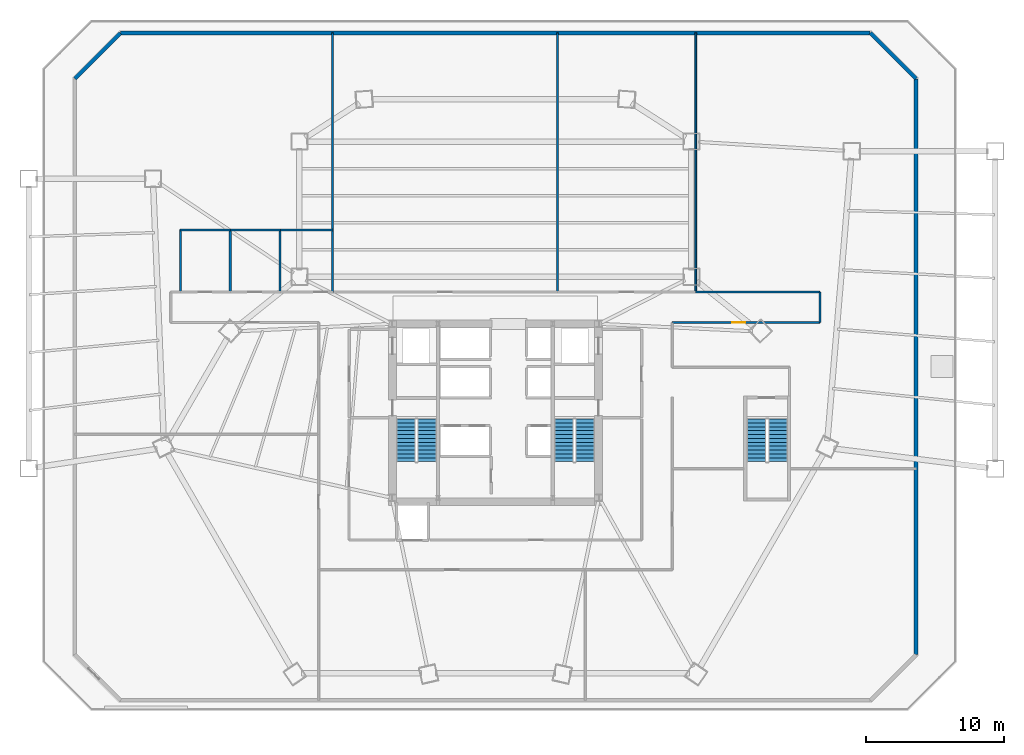
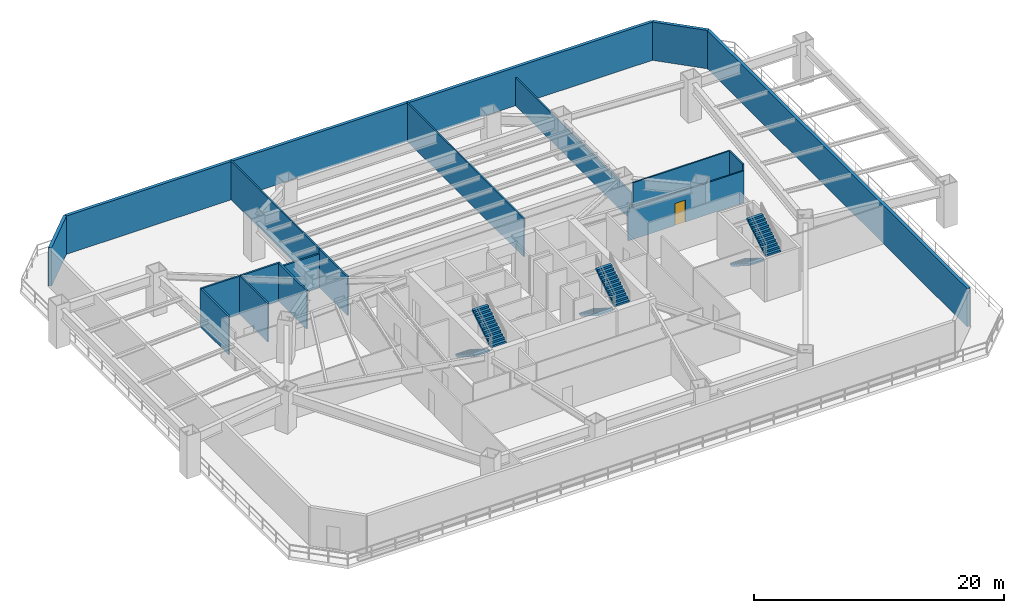
# One storey, part 7 of 12: 17 walls, 6 stair flights, 1 door, 1 opening, 3 elements without a shape of their own.
"""IFC4 building model written with IfcOpenShell, lengths in metres."""

from ifc_helpers import new_model, si_unit, direction, frame, frame_2d, origin, place, context, subcontext, project, spatial, polyline, rectangle, outline, extrude, material, layer, layer_set, type_object, element, fill, aggregate, save


model = new_model("IFC4")

# Units and contexts
model_context = context("Model", 3, precision=1e-05, world=origin(), true_north=direction((0.0, 1.0)))
body_context = subcontext(model_context, "Body", "Model", "MODEL_VIEW")
ifc_project = project(units=[si_unit("LENGTHUNIT", "METRE"), si_unit("AREAUNIT", "SQUARE_METRE"), si_unit("VOLUMEUNIT", "CUBIC_METRE"), si_unit("PLANEANGLEUNIT", "RADIAN"), si_unit("MASSUNIT", "GRAM", prefix="KILO")], contexts=[model_context])

# Site, building, storey
site_placement = place(None, origin())
site = spatial("IfcSite", under=ifc_project, at=site_placement, CompositionType="ELEMENT")
building_placement = place(site_placement, origin())
building = spatial("IfcBuilding", under=site, at=building_placement, Name="Caelisora Broadcast Tower", CompositionType="ELEMENT")
storey_placement = place(building_placement, frame((0.0, 0.0, 18.89990234375)))
storey = spatial("IfcBuildingStorey", under=building, at=storey_placement, Name="L04", CompositionType="ELEMENT", Elevation=18.89990234375)

# Walls
ifc_material_1 = material(Name="Insulated Terracotta Spandrel Wall System", Category="masonry")
ifc_layer_1 = layer(ifc_material_1, 0.280029296875, Name="Insulated Terracotta Spandrel Wall System")
ifc_layer_set_1 = layer_set([ifc_layer_1], Name="Insulated Terracotta Spandrel Wall System")
wall_type_1 = type_object("IfcWallType", Name="EW1", PredefinedType="STANDARD", material=ifc_layer_set_1)
wall_1_placement = place(storey_placement, frame((7.5400390625, 47.759033203125, 0.0), z_axis=(0.0, 0.0, 1.0), x_axis=(0.707106781187, 0.707106781187, 0.0)))
element("IfcWall", 1, at=wall_1_placement, inside=storey, type_object=wall_type_1, Name="L04 exterior envelope wall EW1", PredefinedType="STANDARD", context=body_context, shape_type="SweptSolid", body=[
    extrude(rectangle(XDim=4.66845703125, YDim=0.280029296875, at=frame_2d((2.334228515625, 0.0))), origin(), (0.0, 0.0, 1.0), 3.75),
])
wall_2_placement = place(storey_placement, frame((10.861083984375, 51.06005859375, 0.0), z_axis=(0.0, 0.0, 1.0), x_axis=(1.0, 0.0, 0.0)))
element("IfcWall", 2, at=wall_2_placement, inside=storey, type_object=wall_type_1, Name="L04 exterior envelope wall EW1", PredefinedType="STANDARD", context=body_context, shape_type="SweptSolid", body=[
    extrude(rectangle(XDim=54.27783203125, YDim=0.280029296875, at=frame_2d((27.138916015625, 0.0))), origin(), (0.0, 0.0, 1.0), 3.75),
])
wall_3_placement = place(storey_placement, frame((65.158935546875, 51.06005859375, 0.0), z_axis=(0.0, 0.0, 1.0), x_axis=(0.707106781187, -0.707106781187, 0.0)))
element("IfcWall", 3, at=wall_3_placement, inside=storey, type_object=wall_type_1, Name="L04 exterior envelope wall EW1", PredefinedType="STANDARD", context=body_context, shape_type="SweptSolid", body=[
    extrude(rectangle(XDim=4.66845703125, YDim=0.280029296875, at=frame_2d((2.334228515625, 0.0))), origin(), (0.0, 0.0, 1.0), 3.75),
])
wall_4_placement = place(storey_placement, frame((68.4599609375, 47.739013671875, 0.0), z_axis=(0.0, 0.0, 1.0), x_axis=(0.0, -1.0, 0.0)))
element("IfcWall", 4, at=wall_4_placement, inside=storey, type_object=wall_type_1, Name="L04 exterior envelope wall EW1", PredefinedType="STANDARD", context=body_context, shape_type="SweptSolid", body=[
    extrude(rectangle(XDim=41.677978515625, YDim=0.280029296875, at=frame_2d((20.8388671875, 0.0))), origin(), (0.0, 0.0, 1.0), 3.75),
])
ifc_material_2 = material(Name="Acoustic Steel-Stud Plasterboard Partition", Category="gypsum")
ifc_layer_2 = layer(ifc_material_2, 0.1298828125, Name="Acoustic Steel-Stud Plasterboard Partition")
ifc_layer_set_2 = layer_set([ifc_layer_2], Name="Acoustic Steel-Stud Plasterboard Partition")
wall_type_2 = type_object("IfcWallType", Name="PW3", PredefinedType="PARTITIONING", material=ifc_layer_set_2)
wall_5_placement = place(storey_placement, frame((52.5, 32.304931640625, 0.0), z_axis=(0.0, 0.0, 1.0), x_axis=(0.0, 1.0, 0.0)))
element("IfcWall", 5, at=wall_5_placement, inside=storey, type_object=wall_type_2, Name="L04 internal partition PW3", PredefinedType="PARTITIONING", context=body_context, shape_type="SweptSolid", body=[
    extrude(rectangle(XDim=18.76513671875, YDim=0.1298828125, at=frame_2d((9.382568359375, 0.0))), origin(), (0.0, 0.0, 1.0), 2.735107421875),
])
wall_6_placement = place(storey_placement, frame((42.5, 32.304931640625, 0.0), z_axis=(0.0, 0.0, 1.0), x_axis=(0.0, 1.0, 0.0)))
element("IfcWall", 6, at=wall_6_placement, inside=storey, type_object=wall_type_2, Name="L04 internal partition PW3", PredefinedType="PARTITIONING", context=body_context, shape_type="SweptSolid", body=[
    extrude(rectangle(XDim=18.76513671875, YDim=0.1298828125, at=frame_2d((9.382568359375, 0.0))), origin(), (0.0, 0.0, 1.0), 3.75),
])
wall_7_placement = place(storey_placement, frame((26.199951171875, 36.804931640625, 0.0), z_axis=(0.0, 0.0, 1.0), x_axis=(0.0, 1.0, 0.0)))
element("IfcWall", 7, at=wall_7_placement, inside=storey, type_object=wall_type_2, Name="L04 internal partition PW3", PredefinedType="PARTITIONING", context=body_context, shape_type="SweptSolid", body=[
    extrude(rectangle(XDim=14.26513671875, YDim=0.1298828125, at=frame_2d((7.132568359375, 0.0))), origin(), (0.0, 0.0, 1.0), 3.75),
])

# Wall, opening, door
wall_8_placement = place(storey_placement, frame((61.4951171875, 30.10009765625, 0.0), z_axis=(0.0, 0.0, 1.0), x_axis=(-1.0, 0.0, 0.0)))
wall_8 = element("IfcWall", 8, at=wall_8_placement, inside=storey, type_object=wall_type_2, Name="L04 internal partition PW3", PredefinedType="PARTITIONING", context=body_context, shape_type="SweptSolid", body=[
    extrude(rectangle(XDim=10.690185546875, YDim=0.1298828125, at=frame_2d((5.34521484375, 0.0))), origin(), (0.0, 0.0, 1.0), 3.12353515625),
])
opening_placement = place(wall_8_placement, frame((5.39990234375, 0.0, 0.0)))
opening = element("IfcOpeningElement", 9, at=opening_placement, cuts=wall_8, Name="Opening D01", PredefinedType="OPENING", context=body_context, shape_type="SweptSolid", body=[
    extrude(rectangle(XDim=0.9599609375, YDim=2.14990234375, at=frame_2d((0.47998046875, 1.074951171875))), frame((0.0, 0.076904296875, 0.0), z_axis=(0.0, -1.0, 0.0), x_axis=(1.0, 0.0, 0.0)), (0.0, 0.0, 1.0), 0.15380859375),
])
ifc_material_3 = material(Name="Solid-Core Timber Acoustic Office Door", Category="wood")
door_type = type_object("IfcDoorType", Name="D01", OperationType="NOTDEFINED", PredefinedType="DOOR", material=ifc_material_3)
door_placement = place(opening_placement, origin())
door = element("IfcDoor", 10, at=door_placement, inside=storey, type_object=door_type, Name="L04 door D01 (L04-DR-P29D1)", OperationType="SINGLE_SWING_RIGHT", OverallHeight=2.14990234375, OverallWidth=0.9599609375, PredefinedType="DOOR", context=body_context, shape_type="SweptSolid", body=[
    extrude(rectangle(XDim=0.9599609375, YDim=2.14990234375, at=frame_2d((0.47998046875, 1.074951171875))), frame((0.0, 0.02490234375, 0.0), z_axis=(0.0, -1.0, 0.0), x_axis=(1.0, 0.0, 0.0)), (0.0, 0.0, 1.0), 0.050048828125),
])
fill(opening, door)

# Walls
wall_9_placement = place(storey_placement, frame((52.5048828125, 32.300048828125, 0.0), z_axis=(0.0, 0.0, 1.0), x_axis=(1.0, 0.0, 0.0)))
element("IfcWall", 11, at=wall_9_placement, inside=storey, type_object=wall_type_2, Name="L04 internal partition PW3", PredefinedType="PARTITIONING", context=body_context, shape_type="SweptSolid", body=[
    extrude(rectangle(XDim=8.990234375, YDim=0.1298828125, at=frame_2d((4.4951171875, 0.0))), origin(), (0.0, 0.0, 1.0), 3.75),
])
wall_10_placement = place(storey_placement, frame((61.5, 32.294921875, 0.0), z_axis=(0.0, 0.0, 1.0), x_axis=(0.0, -1.0, 0.0)))
element("IfcWall", 12, at=wall_10_placement, inside=storey, type_object=wall_type_2, Name="L04 internal partition PW3", PredefinedType="PARTITIONING", context=body_context, shape_type="SweptSolid", body=[
    extrude(rectangle(XDim=2.18994140625, YDim=0.1298828125, at=frame_2d((1.094970703125, 0.0))), origin(), (0.0, 0.0, 1.0), 3.75),
])
ifc_material_4 = material(Name="Moisture-Resistant Wet Plumbing Service Wall", Category="gypsum")
ifc_layer_3 = layer(ifc_material_4, 0.159912109375, Name="Moisture-Resistant Wet Plumbing Service Wall")
ifc_layer_set_3 = layer_set([ifc_layer_3], Name="Moisture-Resistant Wet Plumbing Service Wall")
wall_type_3 = type_object("IfcWallType", Name="PW4", PredefinedType="PLUMBINGWALL", material=ifc_layer_set_3)
for number, where, z_axis, x_axis, name in (
    (13, (15.199951171875, 32.27490234375, 0.0), (0.0, 0.0, 1.0), (0.0, 1.0, 0.0), "L04 wet plumbing wall PW4"),
    (14, (18.800048828125, 32.27490234375, 0.0), (0.0, 0.0, 1.0), (0.0, 1.0, 0.0), "L04 wet plumbing wall PW4"),
    (15, (22.39990234375, 32.27490234375, 0.0), (0.0, 0.0, 1.0), (0.0, 1.0, 0.0), "L04 wet plumbing wall PW4"),
    (16, (26.199951171875, 32.27490234375, 0.0), (0.0, 0.0, 1.0), (0.0, 1.0, 0.0), "L04 wet plumbing wall PW4"),
):
    element("IfcWall", number, at=place(storey_placement, frame(where, z_axis=z_axis, x_axis=x_axis)), inside=storey, type_object=wall_type_3, Name=name, PredefinedType="PLUMBINGWALL", context=body_context, shape_type="SweptSolid", body=[
        extrude(rectangle(XDim=4.550048828125, YDim=0.159912109375, at=frame_2d((2.27490234375, 0.0))), origin(), (0.0, 0.0, 1.0), 3.75),
    ])
wall_11_placement = place(storey_placement, frame((22.375, 36.800048828125, 0.0), z_axis=(0.0, 0.0, 1.0), x_axis=(1.0, 0.0, 0.0)))
element("IfcWall", 17, at=wall_11_placement, inside=storey, type_object=wall_type_3, Name="L04 wet plumbing wall PW4", PredefinedType="PLUMBINGWALL", context=body_context, shape_type="SweptSolid", body=[
    extrude(rectangle(XDim=3.85009765625, YDim=0.159912109375, at=frame_2d((1.925048828125, 0.0))), origin(), (0.0, 0.0, 1.0), 3.32861328125),
])
wall_12_placement = place(storey_placement, frame((15.175048828125, 36.800048828125, 0.0), z_axis=(0.0, 0.0, 1.0), x_axis=(1.0, 0.0, 0.0)))
element("IfcWall", 18, at=wall_12_placement, inside=storey, type_object=wall_type_3, Name="L04 wet plumbing wall PW4", PredefinedType="PLUMBINGWALL", context=body_context, shape_type="SweptSolid", body=[
    extrude(rectangle(XDim=3.64990234375, YDim=0.159912109375, at=frame_2d((1.824951171875, 0.0))), origin(), (0.0, 0.0, 1.0), 3.75),
])
wall_13_placement = place(storey_placement, frame((18.77490234375, 36.800048828125, 0.0), z_axis=(0.0, 0.0, 1.0), x_axis=(1.0, 0.0, 0.0)))
element("IfcWall", 19, at=wall_13_placement, inside=storey, type_object=wall_type_3, Name="L04 wet plumbing wall PW4", PredefinedType="PLUMBINGWALL", context=body_context, shape_type="SweptSolid", body=[
    extrude(rectangle(XDim=3.650146484375, YDim=0.159912109375, at=frame_2d((1.8251953125, 0.0))), origin(), (0.0, 0.0, 1.0), 3.75),
])

# Stair, stair flights
ifc_material_5 = material(Name="Concrete 40 MPa (AS 3600 N40)", Category="concrete")
stair_type_1 = type_object("IfcStairType", Name="ST-1", PredefinedType="HALF_TURN_STAIR", material=ifc_material_5)
stair_1_placement = place(storey_placement, origin())
stair_1 = element("IfcStair", 20, at=stair_1_placement, inside=storey, type_object=stair_type_1, Name="L04 West Fire-Isolated Tower Stair", PredefinedType="HALF_TURN_STAIR")
stair_flight_type = type_object("IfcStairFlightType", Name="STF-1", PredefinedType="STRAIGHT", material=ifc_material_5)
stair_flight_1_placement = place(storey_placement, frame((31.52001953125, 23.10009765625, 0.0), z_axis=(0.0, 0.0, 1.0), x_axis=(0.0, -1.0, 0.0)))
stair_flight_1 = element("IfcStairFlight", 21, at=stair_flight_1_placement, type_object=stair_flight_type, Name="ST-1 flight 1", NumberOfRisers=12, NumberOfTreads=11, PredefinedType="STRAIGHT", RiserHeight=0.175, TreadLength=0.28, context=body_context, shape_type="SweptSolid", body=[
    extrude(outline(polyline([(0.0, 0.0), (0.0, 0.175048828125), (0.280029296875, 0.175048828125), (0.280029296875, 0.35009765625), (0.56005859375, 0.35009765625), (0.56005859375, 0.52490234375), (0.840087890625, 0.52490234375), (0.840087890625, 0.699951171875), (1.1201171875, 0.699951171875), (1.1201171875, 0.875), (1.39990234375, 0.875), (1.39990234375, 1.050048828125), (1.679931640625, 1.050048828125), (1.679931640625, 1.22509765625), (1.9599609375, 1.22509765625), (1.9599609375, 1.39990234375), (2.239990234375, 1.39990234375), (2.239990234375, 1.574951171875), (2.52001953125, 1.574951171875), (2.52001953125, 1.75), (2.800048828125, 1.75), (2.800048828125, 1.925048828125), (3.080078125, 1.925048828125), (3.080078125, 2.10009765625), (3.080078125, 1.748291015625), (0.28271484375, 0.0), (0.0, 0.0)])), frame((0.0, 0.699951171875, 0.0), z_axis=(0.0, -1.0, 0.0), x_axis=(1.0, 0.0, 0.0)), (0.0, 0.0, 1.0), 1.39990234375),
])
stair_flight_2_placement = place(storey_placement, frame((33.0400390625, 20.02001953125, 2.10009765625), z_axis=(0.0, 0.0, 1.0), x_axis=(0.0, 1.0, 0.0)))
stair_flight_2 = element("IfcStairFlight", 22, at=stair_flight_2_placement, type_object=stair_flight_type, Name="ST-1 flight 2", NumberOfRisers=12, NumberOfTreads=11, PredefinedType="STRAIGHT", RiserHeight=0.175, TreadLength=0.28, context=body_context, shape_type="SweptSolid", body=[
    extrude(outline(polyline([(0.0, 0.0), (0.0, 0.175048828125), (0.280029296875, 0.175048828125), (0.280029296875, 0.35009765625), (0.56005859375, 0.35009765625), (0.56005859375, 0.52490234375), (0.840087890625, 0.52490234375), (0.840087890625, 0.699951171875), (1.1201171875, 0.699951171875), (1.1201171875, 0.875), (1.39990234375, 0.875), (1.39990234375, 1.050048828125), (1.679931640625, 1.050048828125), (1.679931640625, 1.22509765625), (1.9599609375, 1.22509765625), (1.9599609375, 1.39990234375), (2.239990234375, 1.39990234375), (2.239990234375, 1.574951171875), (2.52001953125, 1.574951171875), (2.52001953125, 1.75), (2.800048828125, 1.75), (2.800048828125, 1.925048828125), (3.080078125, 1.925048828125), (3.080078125, 2.10009765625), (3.080078125, 1.748291015625), (0.28271484375, 0.0), (0.0, 0.0)])), frame((0.0, 0.699951171875, 0.0), z_axis=(0.0, -1.0, 0.0), x_axis=(1.0, 0.0, 0.0)), (0.0, 0.0, 1.0), 1.39990234375),
])
aggregate(stair_1, [stair_flight_1, stair_flight_2])

stair_type_2 = type_object("IfcStairType", Name="ST-2", PredefinedType="HALF_TURN_STAIR", material=ifc_material_5)
stair_2_placement = place(storey_placement, origin())
stair_2 = element("IfcStair", 23, at=stair_2_placement, inside=storey, type_object=stair_type_2, Name="L04 East Fire-Isolated Tower Stair", PredefinedType="HALF_TURN_STAIR")
stair_flight_3_placement = place(storey_placement, frame((42.9599609375, 23.10009765625, 0.0), z_axis=(0.0, 0.0, 1.0), x_axis=(0.0, -1.0, 0.0)))
stair_flight_3 = element("IfcStairFlight", 24, at=stair_flight_3_placement, type_object=stair_flight_type, Name="ST-2 flight 1", NumberOfRisers=12, NumberOfTreads=11, PredefinedType="STRAIGHT", RiserHeight=0.175, TreadLength=0.28, context=body_context, shape_type="SweptSolid", body=[
    extrude(outline(polyline([(0.0, 0.0), (0.0, 0.175048828125), (0.280029296875, 0.175048828125), (0.280029296875, 0.35009765625), (0.56005859375, 0.35009765625), (0.56005859375, 0.52490234375), (0.840087890625, 0.52490234375), (0.840087890625, 0.699951171875), (1.1201171875, 0.699951171875), (1.1201171875, 0.875), (1.39990234375, 0.875), (1.39990234375, 1.050048828125), (1.679931640625, 1.050048828125), (1.679931640625, 1.22509765625), (1.9599609375, 1.22509765625), (1.9599609375, 1.39990234375), (2.239990234375, 1.39990234375), (2.239990234375, 1.574951171875), (2.52001953125, 1.574951171875), (2.52001953125, 1.75), (2.800048828125, 1.75), (2.800048828125, 1.925048828125), (3.080078125, 1.925048828125), (3.080078125, 2.10009765625), (3.080078125, 1.748291015625), (0.28271484375, 0.0), (0.0, 0.0)])), frame((0.0, 0.699951171875, 0.0), z_axis=(0.0, -1.0, 0.0), x_axis=(1.0, 0.0, 0.0)), (0.0, 0.0, 1.0), 1.39990234375),
])
stair_flight_4_placement = place(storey_placement, frame((44.47998046875, 20.02001953125, 2.10009765625), z_axis=(0.0, 0.0, 1.0), x_axis=(0.0, 1.0, 0.0)))
stair_flight_4 = element("IfcStairFlight", 25, at=stair_flight_4_placement, type_object=stair_flight_type, Name="ST-2 flight 2", NumberOfRisers=12, NumberOfTreads=11, PredefinedType="STRAIGHT", RiserHeight=0.175, TreadLength=0.28, context=body_context, shape_type="SweptSolid", body=[
    extrude(outline(polyline([(0.0, 0.0), (0.0, 0.175048828125), (0.280029296875, 0.175048828125), (0.280029296875, 0.35009765625), (0.56005859375, 0.35009765625), (0.56005859375, 0.52490234375), (0.840087890625, 0.52490234375), (0.840087890625, 0.699951171875), (1.1201171875, 0.699951171875), (1.1201171875, 0.875), (1.39990234375, 0.875), (1.39990234375, 1.050048828125), (1.679931640625, 1.050048828125), (1.679931640625, 1.22509765625), (1.9599609375, 1.22509765625), (1.9599609375, 1.39990234375), (2.239990234375, 1.39990234375), (2.239990234375, 1.574951171875), (2.52001953125, 1.574951171875), (2.52001953125, 1.75), (2.800048828125, 1.75), (2.800048828125, 1.925048828125), (3.080078125, 1.925048828125), (3.080078125, 2.10009765625), (3.080078125, 1.748291015625), (0.28271484375, 0.0), (0.0, 0.0)])), frame((0.0, 0.699951171875, 0.0), z_axis=(0.0, -1.0, 0.0), x_axis=(1.0, 0.0, 0.0)), (0.0, 0.0, 1.0), 1.39990234375),
])
aggregate(stair_2, [stair_flight_3, stair_flight_4])

stair_type_3 = type_object("IfcStairType", Name="ST-3", PredefinedType="HALF_TURN_STAIR", material=ifc_material_5)
stair_3_placement = place(storey_placement, origin())
stair_3 = element("IfcStair", 26, at=stair_3_placement, inside=storey, type_object=stair_type_3, Name="L04 Podium Broadcast Studio Exit Stair", PredefinedType="HALF_TURN_STAIR")
stair_flight_5_placement = place(storey_placement, frame((56.89990234375, 23.10009765625, 0.0), z_axis=(0.0, 0.0, 1.0), x_axis=(0.0, -1.0, 0.0)))
stair_flight_5 = element("IfcStairFlight", 27, at=stair_flight_5_placement, type_object=stair_flight_type, Name="ST-3 flight 1", NumberOfRisers=12, NumberOfTreads=11, PredefinedType="STRAIGHT", RiserHeight=0.175, TreadLength=0.28, context=body_context, shape_type="SweptSolid", body=[
    extrude(outline(polyline([(0.0, 0.0), (0.0, 0.175048828125), (0.280029296875, 0.175048828125), (0.280029296875, 0.35009765625), (0.56005859375, 0.35009765625), (0.56005859375, 0.52490234375), (0.840087890625, 0.52490234375), (0.840087890625, 0.699951171875), (1.1201171875, 0.699951171875), (1.1201171875, 0.875), (1.39990234375, 0.875), (1.39990234375, 1.050048828125), (1.679931640625, 1.050048828125), (1.679931640625, 1.22509765625), (1.9599609375, 1.22509765625), (1.9599609375, 1.39990234375), (2.239990234375, 1.39990234375), (2.239990234375, 1.574951171875), (2.52001953125, 1.574951171875), (2.52001953125, 1.75), (2.800048828125, 1.75), (2.800048828125, 1.925048828125), (3.080078125, 1.925048828125), (3.080078125, 2.10009765625), (3.080078125, 1.748291015625), (0.28271484375, 0.0), (0.0, 0.0)])), frame((0.0, 0.699951171875, 0.0), z_axis=(0.0, -1.0, 0.0), x_axis=(1.0, 0.0, 0.0)), (0.0, 0.0, 1.0), 1.39990234375),
])
stair_flight_6_placement = place(storey_placement, frame((58.4599609375, 20.02001953125, 2.10009765625), z_axis=(0.0, 0.0, 1.0), x_axis=(0.0, 1.0, 0.0)))
stair_flight_6 = element("IfcStairFlight", 28, at=stair_flight_6_placement, type_object=stair_flight_type, Name="ST-3 flight 2", NumberOfRisers=12, NumberOfTreads=11, PredefinedType="STRAIGHT", RiserHeight=0.175, TreadLength=0.28, context=body_context, shape_type="SweptSolid", body=[
    extrude(outline(polyline([(0.0, 0.0), (0.0, 0.175048828125), (0.280029296875, 0.175048828125), (0.280029296875, 0.35009765625), (0.56005859375, 0.35009765625), (0.56005859375, 0.52490234375), (0.840087890625, 0.52490234375), (0.840087890625, 0.699951171875), (1.1201171875, 0.699951171875), (1.1201171875, 0.875), (1.39990234375, 0.875), (1.39990234375, 1.050048828125), (1.679931640625, 1.050048828125), (1.679931640625, 1.22509765625), (1.9599609375, 1.22509765625), (1.9599609375, 1.39990234375), (2.239990234375, 1.39990234375), (2.239990234375, 1.574951171875), (2.52001953125, 1.574951171875), (2.52001953125, 1.75), (2.800048828125, 1.75), (2.800048828125, 1.925048828125), (3.080078125, 1.925048828125), (3.080078125, 2.10009765625), (3.080078125, 1.748291015625), (0.28271484375, 0.0), (0.0, 0.0)])), frame((0.0, 0.699951171875, 0.0), z_axis=(0.0, -1.0, 0.0), x_axis=(1.0, 0.0, 0.0)), (0.0, 0.0, 1.0), 1.39990234375),
])
aggregate(stair_3, [stair_flight_5, stair_flight_6])

save(model, "model.ifc")
